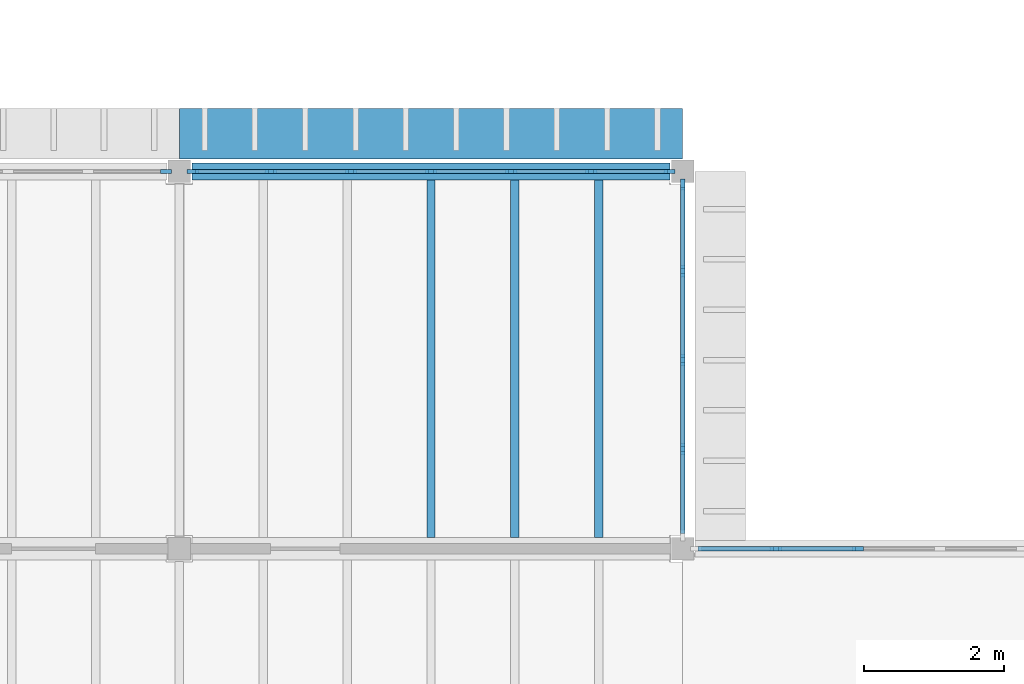
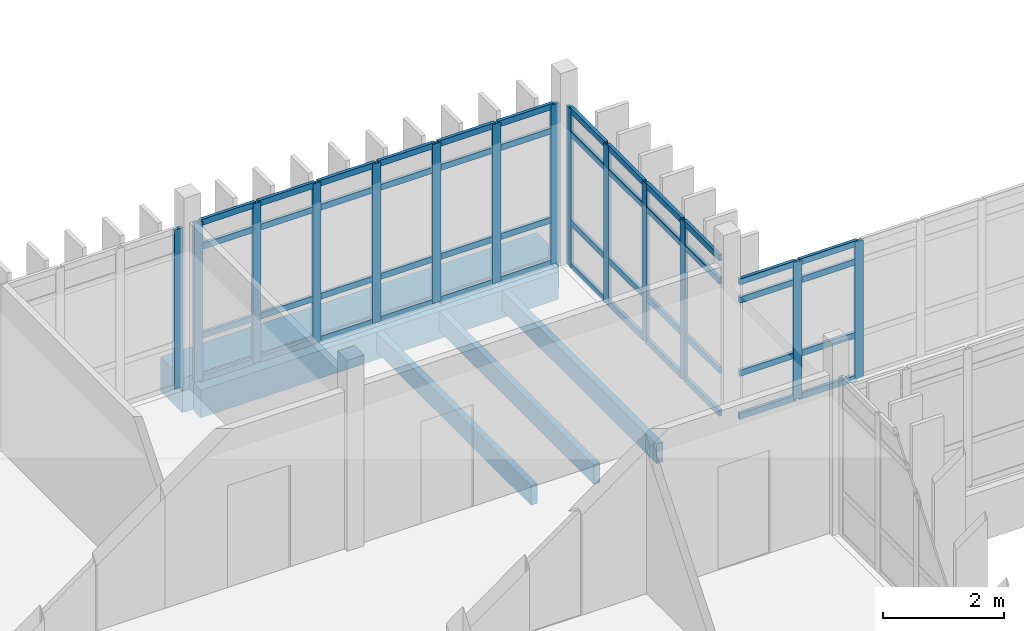
# One storey, part 13 of 71: 63 members, 4 beams, 4 elements without a shape of their own.
"""IFC4 building model written with IfcOpenShell, lengths in metres."""

from ifc_helpers import new_model, si_unit, direction, frame, origin, origin_2d, place, context, subcontext, project, spatial, rectangle, extrude, material, layer, layer_set, material_profile, profile_set, type_object, element, aggregate, save


model = new_model("IFC4")

# Units and contexts
model_context = context("Model", 3, precision=1e-05, world=origin(), true_north=direction((0.0, 1.0)))
body_context = subcontext(model_context, "Body", "Model", "MODEL_VIEW")
ifc_project = project(units=[si_unit("LENGTHUNIT", "METRE"), si_unit("AREAUNIT", "SQUARE_METRE"), si_unit("VOLUMEUNIT", "CUBIC_METRE"), si_unit("PLANEANGLEUNIT", "RADIAN"), si_unit("MASSUNIT", "GRAM", prefix="KILO")], contexts=[model_context])

# Site, building, storey
site_placement = place(None, origin())
site = spatial("IfcSite", under=ifc_project, at=site_placement, CompositionType="ELEMENT")
building_placement = place(site_placement, origin())
building = spatial("IfcBuilding", under=site, at=building_placement, Name="Mazhai Court Health Centre", CompositionType="ELEMENT")
storey_placement = place(building_placement, frame((0.0, 0.0, 10.199951171875)))
storey = spatial("IfcBuildingStorey", under=building, at=storey_placement, Name="L02", CompositionType="ELEMENT", Elevation=10.199951171875)

# Curtain wall, member
ifc_material_1 = material(Name="Teak timber frame, glazed", Category="wood")
ifc_layer = layer(ifc_material_1, 0.10009765625)
ifc_layer_set = layer_set([ifc_layer], Name="CURTAIN WALL TIMBER 1200")
curtain_wall_type = type_object("IfcCurtainWallType", Name="CURTAIN WALL TIMBER 1200", PredefinedType="NOTDEFINED", material=ifc_layer_set)
curtain_wall_1_placement = place(storey_placement, origin())
curtain_wall_1 = element("IfcCurtainWall", 1, at=curtain_wall_1_placement, inside=storey, type_object=curtain_wall_type, Name="CW-V4-L02-B1", PredefinedType="NOTDEFINED")
ifc_material_2 = material(Name="Teak timber", Category="wood")
ifc_material_profile_1 = material_profile(ifc_material_2, rectangle(XDim=0.06005859375, YDim=0.159912109375, at=origin_2d()), Name="CW MULLION 60x160")
ifc_profile_set_1 = profile_set([ifc_material_profile_1], Name="Teak timber")
member_type_1 = type_object("IfcMemberType", Name="CW MULLION 60x160", PredefinedType="MULLION", material=ifc_profile_set_1)
member_1_placement = place(storey_placement, frame((85.2099609375, 27.800048828125, 0.0), z_axis=(0.0, 0.0, 1.0), x_axis=(0.0, 1.0, 0.0)))
member_1 = element("IfcMember", 2, at=member_1_placement, type_object=member_type_1, Name="CW mullion 7", PredefinedType="MULLION", context=body_context, shape_type="SweptSolid", body=[
    extrude(rectangle(XDim=0.06005859375, YDim=0.159912109375, at=origin_2d()), origin(), (0.0, 0.0, 1.0), 3.219970703125),
])
aggregate(curtain_wall_1, [member_1])

# Curtain wall, members
curtain_wall_2_placement = place(storey_placement, origin())
curtain_wall_2 = element("IfcCurtainWall", 3, at=curtain_wall_2_placement, inside=storey, type_object=curtain_wall_type, Name="CW-V4-L02-B2", PredefinedType="NOTDEFINED")
member_2_placement = place(storey_placement, frame((85.590087890625, 27.800048828125, 0.0), z_axis=(0.0, 0.0, 1.0), x_axis=(0.0, 1.0, 0.0)))
member_2 = element("IfcMember", 4, at=member_2_placement, type_object=member_type_1, Name="CW mullion 1", PredefinedType="MULLION", context=body_context, shape_type="SweptSolid", body=[
    extrude(rectangle(XDim=0.06005859375, YDim=0.159912109375, at=origin_2d()), origin(), (0.0, 0.0, 1.0), 3.219970703125),
])
member_3_placement = place(storey_placement, frame((86.706787109375, 27.800048828125, 0.0), z_axis=(0.0, 0.0, 1.0), x_axis=(0.0, 1.0, 0.0)))
member_3 = element("IfcMember", 5, at=member_3_placement, type_object=member_type_1, Name="CW mullion 2", PredefinedType="MULLION", context=body_context, shape_type="SweptSolid", body=[
    extrude(rectangle(XDim=0.06005859375, YDim=0.159912109375, at=origin_2d()), origin(), (0.0, 0.0, 1.0), 3.219970703125),
])
member_4_placement = place(storey_placement, frame((87.853271484375, 27.800048828125, 0.0), z_axis=(0.0, 0.0, 1.0), x_axis=(0.0, 1.0, 0.0)))
member_4 = element("IfcMember", 6, at=member_4_placement, type_object=member_type_1, Name="CW mullion 3", PredefinedType="MULLION", context=body_context, shape_type="SweptSolid", body=[
    extrude(rectangle(XDim=0.06005859375, YDim=0.159912109375, at=origin_2d()), origin(), (0.0, 0.0, 1.0), 3.219970703125),
])
member_5_placement = place(storey_placement, frame((89.0, 27.800048828125, 0.0), z_axis=(0.0, 0.0, 1.0), x_axis=(0.0, 1.0, 0.0)))
member_5 = element("IfcMember", 7, at=member_5_placement, type_object=member_type_1, Name="CW mullion 4", PredefinedType="MULLION", context=body_context, shape_type="SweptSolid", body=[
    extrude(rectangle(XDim=0.06005859375, YDim=0.159912109375, at=origin_2d()), origin(), (0.0, 0.0, 1.0), 3.219970703125),
])
member_6_placement = place(storey_placement, frame((90.146728515625, 27.800048828125, 0.0), z_axis=(0.0, 0.0, 1.0), x_axis=(0.0, 1.0, 0.0)))
member_6 = element("IfcMember", 8, at=member_6_placement, type_object=member_type_1, Name="CW mullion 5", PredefinedType="MULLION", context=body_context, shape_type="SweptSolid", body=[
    extrude(rectangle(XDim=0.06005859375, YDim=0.159912109375, at=origin_2d()), origin(), (0.0, 0.0, 1.0), 3.219970703125),
])
member_7_placement = place(storey_placement, frame((91.293212890625, 27.800048828125, 0.0), z_axis=(0.0, 0.0, 1.0), x_axis=(0.0, 1.0, 0.0)))
member_7 = element("IfcMember", 9, at=member_7_placement, type_object=member_type_1, Name="CW mullion 6", PredefinedType="MULLION", context=body_context, shape_type="SweptSolid", body=[
    extrude(rectangle(XDim=0.06005859375, YDim=0.159912109375, at=origin_2d()), origin(), (0.0, 0.0, 1.0), 3.219970703125),
])
member_8_placement = place(storey_placement, frame((92.409912109375, 27.800048828125, 0.0), z_axis=(0.0, 0.0, 1.0), x_axis=(0.0, 1.0, 0.0)))
member_8 = element("IfcMember", 10, at=member_8_placement, type_object=member_type_1, Name="CW mullion 7", PredefinedType="MULLION", context=body_context, shape_type="SweptSolid", body=[
    extrude(rectangle(XDim=0.06005859375, YDim=0.159912109375, at=origin_2d()), origin(), (0.0, 0.0, 1.0), 3.219970703125),
])

curtain_wall_3_placement = place(storey_placement, origin())
curtain_wall_3 = element("IfcCurtainWall", 11, at=curtain_wall_3_placement, inside=storey, type_object=curtain_wall_type, Name="CW-V4-L02-CE2-1", PredefinedType="NOTDEFINED")
member_9_placement = place(storey_placement, frame((92.60009765625, 27.610107421875, 0.0), z_axis=(0.0, 0.0, 1.0), x_axis=(1.0, 0.0, 0.0)))
member_9 = element("IfcMember", 12, at=member_9_placement, type_object=member_type_1, Name="CW mullion 1", PredefinedType="MULLION", context=body_context, shape_type="SweptSolid", body=[
    extrude(rectangle(XDim=0.06005859375, YDim=0.159912109375, at=origin_2d()), origin(), (0.0, 0.0, 1.0), 3.199951171875),
])
member_10_placement = place(storey_placement, frame((92.60009765625, 26.3701171875, 0.0), z_axis=(0.0, 0.0, 1.0), x_axis=(1.0, 0.0, 0.0)))
member_10 = element("IfcMember", 13, at=member_10_placement, type_object=member_type_1, Name="CW mullion 2", PredefinedType="MULLION", context=body_context, shape_type="SweptSolid", body=[
    extrude(rectangle(XDim=0.06005859375, YDim=0.159912109375, at=origin_2d()), origin(), (0.0, 0.0, 1.0), 3.199951171875),
])
member_11_placement = place(storey_placement, frame((92.60009765625, 25.10009765625, 0.0), z_axis=(0.0, 0.0, 1.0), x_axis=(1.0, 0.0, 0.0)))
member_11 = element("IfcMember", 14, at=member_11_placement, type_object=member_type_1, Name="CW mullion 3", PredefinedType="MULLION", context=body_context, shape_type="SweptSolid", body=[
    extrude(rectangle(XDim=0.06005859375, YDim=0.159912109375, at=origin_2d()), origin(), (0.0, 0.0, 1.0), 3.199951171875),
])
member_12_placement = place(storey_placement, frame((92.60009765625, 23.830078125, 0.0), z_axis=(0.0, 0.0, 1.0), x_axis=(1.0, 0.0, 0.0)))
member_12 = element("IfcMember", 15, at=member_12_placement, type_object=member_type_1, Name="CW mullion 4", PredefinedType="MULLION", context=body_context, shape_type="SweptSolid", body=[
    extrude(rectangle(XDim=0.06005859375, YDim=0.159912109375, at=origin_2d()), origin(), (0.0, 0.0, 1.0), 3.199951171875),
])

curtain_wall_4_placement = place(storey_placement, origin())
curtain_wall_4 = element("IfcCurtainWall", 16, at=curtain_wall_4_placement, inside=storey, type_object=curtain_wall_type, Name="CW-BR-LC2-N", PredefinedType="NOTDEFINED")
member_13_placement = place(storey_placement, frame((93.933349609375, 22.39990234375, 0.0), z_axis=(0.0, 0.0, 1.0), x_axis=(0.0, 1.0, 0.0)))
member_13 = element("IfcMember", 17, at=member_13_placement, type_object=member_type_1, Name="CW mullion 2", PredefinedType="MULLION", context=body_context, shape_type="SweptSolid", body=[
    extrude(rectangle(XDim=0.06005859375, YDim=0.159912109375, at=origin_2d()), origin(), (0.0, 0.0, 1.0), 2.780029296875),
])
member_14_placement = place(storey_placement, frame((95.106689453125, 22.39990234375, 0.0), z_axis=(0.0, 0.0, 1.0), x_axis=(0.0, 1.0, 0.0)))
member_14 = element("IfcMember", 18, at=member_14_placement, type_object=member_type_1, Name="CW mullion 3", PredefinedType="MULLION", context=body_context, shape_type="SweptSolid", body=[
    extrude(rectangle(XDim=0.06005859375, YDim=0.159912109375, at=origin_2d()), origin(), (0.0, 0.0, 1.0), 2.780029296875),
])

# Member
ifc_material_3 = material(Name="Teak timber", Category="wood")
ifc_material_profile_2 = material_profile(ifc_material_3, rectangle(XDim=0.06005859375, YDim=0.1201171875, at=origin_2d()), Name="CW TRANSOM 60x120")
ifc_profile_set_2 = profile_set([ifc_material_profile_2], Name="Teak timber")
member_type_2 = type_object("IfcMemberType", Name="CW TRANSOM 60x120", PredefinedType="USERDEFINED", material=ifc_profile_set_2)
member_15_placement = place(storey_placement, frame((85.6201171875, 27.800048828125, 0.030029296875), z_axis=(1.0, 0.0, 0.0), x_axis=(0.0, 1.0, 0.0)))
member_15 = element("IfcMember", 19, at=member_15_placement, type_object=member_type_2, Name="CW transom 1.1", ObjectType="TRANSOM", PredefinedType="USERDEFINED", context=body_context, shape_type="SweptSolid", body=[
    extrude(rectangle(XDim=0.06005859375, YDim=0.1201171875, at=origin_2d()), origin(), (0.0, 0.0, 1.0), 1.056640625),
])

member_16_placement = place(storey_placement, frame((85.6201171875, 27.800048828125, 0.900146484375), z_axis=(1.0, 0.0, 0.0), x_axis=(0.0, 1.0, 0.0)))
member_16 = element("IfcMember", 20, at=member_16_placement, type_object=member_type_2, Name="CW transom 1.2", ObjectType="TRANSOM", PredefinedType="USERDEFINED", context=body_context, shape_type="SweptSolid", body=[
    extrude(rectangle(XDim=0.06005859375, YDim=0.1201171875, at=origin_2d()), origin(), (0.0, 0.0, 1.0), 1.056640625),
])

member_17_placement = place(storey_placement, frame((85.6201171875, 27.800048828125, 2.699951171875), z_axis=(1.0, 0.0, 0.0), x_axis=(0.0, 1.0, 0.0)))
member_17 = element("IfcMember", 21, at=member_17_placement, type_object=member_type_2, Name="CW transom 1.3", ObjectType="TRANSOM", PredefinedType="USERDEFINED", context=body_context, shape_type="SweptSolid", body=[
    extrude(rectangle(XDim=0.06005859375, YDim=0.1201171875, at=origin_2d()), origin(), (0.0, 0.0, 1.0), 1.056640625),
])

member_18_placement = place(storey_placement, frame((85.6201171875, 27.800048828125, 3.18994140625), z_axis=(1.0, 0.0, 0.0), x_axis=(0.0, 1.0, 0.0)))
member_18 = element("IfcMember", 22, at=member_18_placement, type_object=member_type_2, Name="CW transom 1.4", ObjectType="TRANSOM", PredefinedType="USERDEFINED", context=body_context, shape_type="SweptSolid", body=[
    extrude(rectangle(XDim=0.06005859375, YDim=0.1201171875, at=origin_2d()), origin(), (0.0, 0.0, 1.0), 1.056640625),
])

member_19_placement = place(storey_placement, frame((86.736572265625, 27.800048828125, 0.030029296875), z_axis=(1.0, 0.0, 0.0), x_axis=(0.0, 1.0, 0.0)))
member_19 = element("IfcMember", 23, at=member_19_placement, type_object=member_type_2, Name="CW transom 2.1", ObjectType="TRANSOM", PredefinedType="USERDEFINED", context=body_context, shape_type="SweptSolid", body=[
    extrude(rectangle(XDim=0.06005859375, YDim=0.1201171875, at=origin_2d()), origin(), (0.0, 0.0, 1.0), 1.086669921875),
])

member_20_placement = place(storey_placement, frame((86.736572265625, 27.800048828125, 0.900146484375), z_axis=(1.0, 0.0, 0.0), x_axis=(0.0, 1.0, 0.0)))
member_20 = element("IfcMember", 24, at=member_20_placement, type_object=member_type_2, Name="CW transom 2.2", ObjectType="TRANSOM", PredefinedType="USERDEFINED", context=body_context, shape_type="SweptSolid", body=[
    extrude(rectangle(XDim=0.06005859375, YDim=0.1201171875, at=origin_2d()), origin(), (0.0, 0.0, 1.0), 1.086669921875),
])

member_21_placement = place(storey_placement, frame((86.736572265625, 27.800048828125, 2.699951171875), z_axis=(1.0, 0.0, 0.0), x_axis=(0.0, 1.0, 0.0)))
member_21 = element("IfcMember", 25, at=member_21_placement, type_object=member_type_2, Name="CW transom 2.3", ObjectType="TRANSOM", PredefinedType="USERDEFINED", context=body_context, shape_type="SweptSolid", body=[
    extrude(rectangle(XDim=0.06005859375, YDim=0.1201171875, at=origin_2d()), origin(), (0.0, 0.0, 1.0), 1.086669921875),
])

member_22_placement = place(storey_placement, frame((86.736572265625, 27.800048828125, 3.18994140625), z_axis=(1.0, 0.0, 0.0), x_axis=(0.0, 1.0, 0.0)))
member_22 = element("IfcMember", 26, at=member_22_placement, type_object=member_type_2, Name="CW transom 2.4", ObjectType="TRANSOM", PredefinedType="USERDEFINED", context=body_context, shape_type="SweptSolid", body=[
    extrude(rectangle(XDim=0.06005859375, YDim=0.1201171875, at=origin_2d()), origin(), (0.0, 0.0, 1.0), 1.086669921875),
])

member_23_placement = place(storey_placement, frame((87.88330078125, 27.800048828125, 0.030029296875), z_axis=(1.0, 0.0, 0.0), x_axis=(0.0, 1.0, 0.0)))
member_23 = element("IfcMember", 27, at=member_23_placement, type_object=member_type_2, Name="CW transom 3.1", ObjectType="TRANSOM", PredefinedType="USERDEFINED", context=body_context, shape_type="SweptSolid", body=[
    extrude(rectangle(XDim=0.06005859375, YDim=0.1201171875, at=origin_2d()), origin(), (0.0, 0.0, 1.0), 1.086669921875),
])

member_24_placement = place(storey_placement, frame((87.88330078125, 27.800048828125, 0.900146484375), z_axis=(1.0, 0.0, 0.0), x_axis=(0.0, 1.0, 0.0)))
member_24 = element("IfcMember", 28, at=member_24_placement, type_object=member_type_2, Name="CW transom 3.2", ObjectType="TRANSOM", PredefinedType="USERDEFINED", context=body_context, shape_type="SweptSolid", body=[
    extrude(rectangle(XDim=0.06005859375, YDim=0.1201171875, at=origin_2d()), origin(), (0.0, 0.0, 1.0), 1.086669921875),
])

member_25_placement = place(storey_placement, frame((87.88330078125, 27.800048828125, 2.699951171875), z_axis=(1.0, 0.0, 0.0), x_axis=(0.0, 1.0, 0.0)))
member_25 = element("IfcMember", 29, at=member_25_placement, type_object=member_type_2, Name="CW transom 3.3", ObjectType="TRANSOM", PredefinedType="USERDEFINED", context=body_context, shape_type="SweptSolid", body=[
    extrude(rectangle(XDim=0.06005859375, YDim=0.1201171875, at=origin_2d()), origin(), (0.0, 0.0, 1.0), 1.086669921875),
])

member_26_placement = place(storey_placement, frame((87.88330078125, 27.800048828125, 3.18994140625), z_axis=(1.0, 0.0, 0.0), x_axis=(0.0, 1.0, 0.0)))
member_26 = element("IfcMember", 30, at=member_26_placement, type_object=member_type_2, Name="CW transom 3.4", ObjectType="TRANSOM", PredefinedType="USERDEFINED", context=body_context, shape_type="SweptSolid", body=[
    extrude(rectangle(XDim=0.06005859375, YDim=0.1201171875, at=origin_2d()), origin(), (0.0, 0.0, 1.0), 1.086669921875),
])

member_27_placement = place(storey_placement, frame((89.030029296875, 27.800048828125, 0.030029296875), z_axis=(1.0, 0.0, 0.0), x_axis=(0.0, 1.0, 0.0)))
member_27 = element("IfcMember", 31, at=member_27_placement, type_object=member_type_2, Name="CW transom 4.1", ObjectType="TRANSOM", PredefinedType="USERDEFINED", context=body_context, shape_type="SweptSolid", body=[
    extrude(rectangle(XDim=0.06005859375, YDim=0.1201171875, at=origin_2d()), origin(), (0.0, 0.0, 1.0), 1.086669921875),
])

member_28_placement = place(storey_placement, frame((89.030029296875, 27.800048828125, 0.900146484375), z_axis=(1.0, 0.0, 0.0), x_axis=(0.0, 1.0, 0.0)))
member_28 = element("IfcMember", 32, at=member_28_placement, type_object=member_type_2, Name="CW transom 4.2", ObjectType="TRANSOM", PredefinedType="USERDEFINED", context=body_context, shape_type="SweptSolid", body=[
    extrude(rectangle(XDim=0.06005859375, YDim=0.1201171875, at=origin_2d()), origin(), (0.0, 0.0, 1.0), 1.086669921875),
])

member_29_placement = place(storey_placement, frame((89.030029296875, 27.800048828125, 2.699951171875), z_axis=(1.0, 0.0, 0.0), x_axis=(0.0, 1.0, 0.0)))
member_29 = element("IfcMember", 33, at=member_29_placement, type_object=member_type_2, Name="CW transom 4.3", ObjectType="TRANSOM", PredefinedType="USERDEFINED", context=body_context, shape_type="SweptSolid", body=[
    extrude(rectangle(XDim=0.06005859375, YDim=0.1201171875, at=origin_2d()), origin(), (0.0, 0.0, 1.0), 1.086669921875),
])

member_30_placement = place(storey_placement, frame((89.030029296875, 27.800048828125, 3.18994140625), z_axis=(1.0, 0.0, 0.0), x_axis=(0.0, 1.0, 0.0)))
member_30 = element("IfcMember", 34, at=member_30_placement, type_object=member_type_2, Name="CW transom 4.4", ObjectType="TRANSOM", PredefinedType="USERDEFINED", context=body_context, shape_type="SweptSolid", body=[
    extrude(rectangle(XDim=0.06005859375, YDim=0.1201171875, at=origin_2d()), origin(), (0.0, 0.0, 1.0), 1.086669921875),
])

member_31_placement = place(storey_placement, frame((90.1767578125, 27.800048828125, 0.030029296875), z_axis=(1.0, 0.0, 0.0), x_axis=(0.0, 1.0, 0.0)))
member_31 = element("IfcMember", 35, at=member_31_placement, type_object=member_type_2, Name="CW transom 5.1", ObjectType="TRANSOM", PredefinedType="USERDEFINED", context=body_context, shape_type="SweptSolid", body=[
    extrude(rectangle(XDim=0.06005859375, YDim=0.1201171875, at=origin_2d()), origin(), (0.0, 0.0, 1.0), 1.086669921875),
])

member_32_placement = place(storey_placement, frame((90.1767578125, 27.800048828125, 0.900146484375), z_axis=(1.0, 0.0, 0.0), x_axis=(0.0, 1.0, 0.0)))
member_32 = element("IfcMember", 36, at=member_32_placement, type_object=member_type_2, Name="CW transom 5.2", ObjectType="TRANSOM", PredefinedType="USERDEFINED", context=body_context, shape_type="SweptSolid", body=[
    extrude(rectangle(XDim=0.06005859375, YDim=0.1201171875, at=origin_2d()), origin(), (0.0, 0.0, 1.0), 1.086669921875),
])

member_33_placement = place(storey_placement, frame((90.1767578125, 27.800048828125, 2.699951171875), z_axis=(1.0, 0.0, 0.0), x_axis=(0.0, 1.0, 0.0)))
member_33 = element("IfcMember", 37, at=member_33_placement, type_object=member_type_2, Name="CW transom 5.3", ObjectType="TRANSOM", PredefinedType="USERDEFINED", context=body_context, shape_type="SweptSolid", body=[
    extrude(rectangle(XDim=0.06005859375, YDim=0.1201171875, at=origin_2d()), origin(), (0.0, 0.0, 1.0), 1.086669921875),
])

member_34_placement = place(storey_placement, frame((90.1767578125, 27.800048828125, 3.18994140625), z_axis=(1.0, 0.0, 0.0), x_axis=(0.0, 1.0, 0.0)))
member_34 = element("IfcMember", 38, at=member_34_placement, type_object=member_type_2, Name="CW transom 5.4", ObjectType="TRANSOM", PredefinedType="USERDEFINED", context=body_context, shape_type="SweptSolid", body=[
    extrude(rectangle(XDim=0.06005859375, YDim=0.1201171875, at=origin_2d()), origin(), (0.0, 0.0, 1.0), 1.086669921875),
])

member_35_placement = place(storey_placement, frame((91.3232421875, 27.800048828125, 0.030029296875), z_axis=(1.0, 0.0, 0.0), x_axis=(0.0, 1.0, 0.0)))
member_35 = element("IfcMember", 39, at=member_35_placement, type_object=member_type_2, Name="CW transom 6.1", ObjectType="TRANSOM", PredefinedType="USERDEFINED", context=body_context, shape_type="SweptSolid", body=[
    extrude(rectangle(XDim=0.06005859375, YDim=0.1201171875, at=origin_2d()), origin(), (0.0, 0.0, 1.0), 1.056640625),
])

member_36_placement = place(storey_placement, frame((91.3232421875, 27.800048828125, 0.900146484375), z_axis=(1.0, 0.0, 0.0), x_axis=(0.0, 1.0, 0.0)))
member_36 = element("IfcMember", 40, at=member_36_placement, type_object=member_type_2, Name="CW transom 6.2", ObjectType="TRANSOM", PredefinedType="USERDEFINED", context=body_context, shape_type="SweptSolid", body=[
    extrude(rectangle(XDim=0.06005859375, YDim=0.1201171875, at=origin_2d()), origin(), (0.0, 0.0, 1.0), 1.056640625),
])

member_37_placement = place(storey_placement, frame((91.3232421875, 27.800048828125, 2.699951171875), z_axis=(1.0, 0.0, 0.0), x_axis=(0.0, 1.0, 0.0)))
member_37 = element("IfcMember", 41, at=member_37_placement, type_object=member_type_2, Name="CW transom 6.3", ObjectType="TRANSOM", PredefinedType="USERDEFINED", context=body_context, shape_type="SweptSolid", body=[
    extrude(rectangle(XDim=0.06005859375, YDim=0.1201171875, at=origin_2d()), origin(), (0.0, 0.0, 1.0), 1.056640625),
])

member_38_placement = place(storey_placement, frame((91.3232421875, 27.800048828125, 3.18994140625), z_axis=(1.0, 0.0, 0.0), x_axis=(0.0, 1.0, 0.0)))
member_38 = element("IfcMember", 42, at=member_38_placement, type_object=member_type_2, Name="CW transom 6.4", ObjectType="TRANSOM", PredefinedType="USERDEFINED", context=body_context, shape_type="SweptSolid", body=[
    extrude(rectangle(XDim=0.06005859375, YDim=0.1201171875, at=origin_2d()), origin(), (0.0, 0.0, 1.0), 1.056640625),
])

aggregate(curtain_wall_2, [member_2, member_3, member_4, member_5, member_6, member_7, member_8, member_15, member_16, member_17, member_18, member_19, member_20, member_21, member_22, member_23, member_24, member_25, member_26, member_27, member_28, member_29, member_30, member_31, member_32, member_33, member_34, member_35, member_36, member_37, member_38])

member_39_placement = place(storey_placement, frame((92.60009765625, 27.580078125, 0.030029296875), z_axis=(0.0, -1.0, 0.0), x_axis=(1.0, 0.0, 0.0)))
member_39 = element("IfcMember", 43, at=member_39_placement, type_object=member_type_2, Name="CW transom 1.1", ObjectType="TRANSOM", PredefinedType="USERDEFINED", context=body_context, shape_type="SweptSolid", body=[
    extrude(rectangle(XDim=0.06005859375, YDim=0.1201171875, at=origin_2d()), origin(), (0.0, 0.0, 1.0), 1.18017578125),
])

member_40_placement = place(storey_placement, frame((92.60009765625, 27.580078125, 0.900146484375), z_axis=(0.0, -1.0, 0.0), x_axis=(1.0, 0.0, 0.0)))
member_40 = element("IfcMember", 44, at=member_40_placement, type_object=member_type_2, Name="CW transom 1.2", ObjectType="TRANSOM", PredefinedType="USERDEFINED", context=body_context, shape_type="SweptSolid", body=[
    extrude(rectangle(XDim=0.06005859375, YDim=0.1201171875, at=origin_2d()), origin(), (0.0, 0.0, 1.0), 1.18017578125),
])

member_41_placement = place(storey_placement, frame((92.60009765625, 27.580078125, 2.699951171875), z_axis=(0.0, -1.0, 0.0), x_axis=(1.0, 0.0, 0.0)))
member_41 = element("IfcMember", 45, at=member_41_placement, type_object=member_type_2, Name="CW transom 1.3", ObjectType="TRANSOM", PredefinedType="USERDEFINED", context=body_context, shape_type="SweptSolid", body=[
    extrude(rectangle(XDim=0.06005859375, YDim=0.1201171875, at=origin_2d()), origin(), (0.0, 0.0, 1.0), 1.18017578125),
])

member_42_placement = place(storey_placement, frame((92.60009765625, 27.580078125, 3.170166015625), z_axis=(0.0, -1.0, 0.0), x_axis=(1.0, 0.0, 0.0)))
member_42 = element("IfcMember", 46, at=member_42_placement, type_object=member_type_2, Name="CW transom 1.4", ObjectType="TRANSOM", PredefinedType="USERDEFINED", context=body_context, shape_type="SweptSolid", body=[
    extrude(rectangle(XDim=0.06005859375, YDim=0.1201171875, at=origin_2d()), origin(), (0.0, 0.0, 1.0), 1.18017578125),
])

member_43_placement = place(storey_placement, frame((92.60009765625, 26.340087890625, 0.030029296875), z_axis=(0.0, -1.0, 0.0), x_axis=(1.0, 0.0, 0.0)))
member_43 = element("IfcMember", 47, at=member_43_placement, type_object=member_type_2, Name="CW transom 2.1", ObjectType="TRANSOM", PredefinedType="USERDEFINED", context=body_context, shape_type="SweptSolid", body=[
    extrude(rectangle(XDim=0.06005859375, YDim=0.1201171875, at=origin_2d()), origin(), (0.0, 0.0, 1.0), 1.210205078125),
])

member_44_placement = place(storey_placement, frame((92.60009765625, 26.340087890625, 0.900146484375), z_axis=(0.0, -1.0, 0.0), x_axis=(1.0, 0.0, 0.0)))
member_44 = element("IfcMember", 48, at=member_44_placement, type_object=member_type_2, Name="CW transom 2.2", ObjectType="TRANSOM", PredefinedType="USERDEFINED", context=body_context, shape_type="SweptSolid", body=[
    extrude(rectangle(XDim=0.06005859375, YDim=0.1201171875, at=origin_2d()), origin(), (0.0, 0.0, 1.0), 1.210205078125),
])

member_45_placement = place(storey_placement, frame((92.60009765625, 26.340087890625, 2.699951171875), z_axis=(0.0, -1.0, 0.0), x_axis=(1.0, 0.0, 0.0)))
member_45 = element("IfcMember", 49, at=member_45_placement, type_object=member_type_2, Name="CW transom 2.3", ObjectType="TRANSOM", PredefinedType="USERDEFINED", context=body_context, shape_type="SweptSolid", body=[
    extrude(rectangle(XDim=0.06005859375, YDim=0.1201171875, at=origin_2d()), origin(), (0.0, 0.0, 1.0), 1.210205078125),
])

member_46_placement = place(storey_placement, frame((92.60009765625, 26.340087890625, 3.170166015625), z_axis=(0.0, -1.0, 0.0), x_axis=(1.0, 0.0, 0.0)))
member_46 = element("IfcMember", 50, at=member_46_placement, type_object=member_type_2, Name="CW transom 2.4", ObjectType="TRANSOM", PredefinedType="USERDEFINED", context=body_context, shape_type="SweptSolid", body=[
    extrude(rectangle(XDim=0.06005859375, YDim=0.1201171875, at=origin_2d()), origin(), (0.0, 0.0, 1.0), 1.210205078125),
])

member_47_placement = place(storey_placement, frame((92.60009765625, 25.070068359375, 0.030029296875), z_axis=(0.0, -1.0, 0.0), x_axis=(1.0, 0.0, 0.0)))
member_47 = element("IfcMember", 51, at=member_47_placement, type_object=member_type_2, Name="CW transom 3.1", ObjectType="TRANSOM", PredefinedType="USERDEFINED", context=body_context, shape_type="SweptSolid", body=[
    extrude(rectangle(XDim=0.06005859375, YDim=0.1201171875, at=origin_2d()), origin(), (0.0, 0.0, 1.0), 1.2099609375),
])

member_48_placement = place(storey_placement, frame((92.60009765625, 25.070068359375, 0.900146484375), z_axis=(0.0, -1.0, 0.0), x_axis=(1.0, 0.0, 0.0)))
member_48 = element("IfcMember", 52, at=member_48_placement, type_object=member_type_2, Name="CW transom 3.2", ObjectType="TRANSOM", PredefinedType="USERDEFINED", context=body_context, shape_type="SweptSolid", body=[
    extrude(rectangle(XDim=0.06005859375, YDim=0.1201171875, at=origin_2d()), origin(), (0.0, 0.0, 1.0), 1.2099609375),
])

member_49_placement = place(storey_placement, frame((92.60009765625, 25.070068359375, 2.699951171875), z_axis=(0.0, -1.0, 0.0), x_axis=(1.0, 0.0, 0.0)))
member_49 = element("IfcMember", 53, at=member_49_placement, type_object=member_type_2, Name="CW transom 3.3", ObjectType="TRANSOM", PredefinedType="USERDEFINED", context=body_context, shape_type="SweptSolid", body=[
    extrude(rectangle(XDim=0.06005859375, YDim=0.1201171875, at=origin_2d()), origin(), (0.0, 0.0, 1.0), 1.2099609375),
])

member_50_placement = place(storey_placement, frame((92.60009765625, 25.070068359375, 3.170166015625), z_axis=(0.0, -1.0, 0.0), x_axis=(1.0, 0.0, 0.0)))
member_50 = element("IfcMember", 54, at=member_50_placement, type_object=member_type_2, Name="CW transom 3.4", ObjectType="TRANSOM", PredefinedType="USERDEFINED", context=body_context, shape_type="SweptSolid", body=[
    extrude(rectangle(XDim=0.06005859375, YDim=0.1201171875, at=origin_2d()), origin(), (0.0, 0.0, 1.0), 1.2099609375),
])

member_51_placement = place(storey_placement, frame((92.60009765625, 23.800048828125, 0.030029296875), z_axis=(0.0, -1.0, 0.0), x_axis=(1.0, 0.0, 0.0)))
member_51 = element("IfcMember", 55, at=member_51_placement, type_object=member_type_2, Name="CW transom 4.1", ObjectType="TRANSOM", PredefinedType="USERDEFINED", context=body_context, shape_type="SweptSolid", body=[
    extrude(rectangle(XDim=0.06005859375, YDim=0.1201171875, at=origin_2d()), origin(), (0.0, 0.0, 1.0), 1.179931640625),
])

member_52_placement = place(storey_placement, frame((92.60009765625, 23.800048828125, 0.900146484375), z_axis=(0.0, -1.0, 0.0), x_axis=(1.0, 0.0, 0.0)))
member_52 = element("IfcMember", 56, at=member_52_placement, type_object=member_type_2, Name="CW transom 4.2", ObjectType="TRANSOM", PredefinedType="USERDEFINED", context=body_context, shape_type="SweptSolid", body=[
    extrude(rectangle(XDim=0.06005859375, YDim=0.1201171875, at=origin_2d()), origin(), (0.0, 0.0, 1.0), 1.179931640625),
])

member_53_placement = place(storey_placement, frame((92.60009765625, 23.800048828125, 2.699951171875), z_axis=(0.0, -1.0, 0.0), x_axis=(1.0, 0.0, 0.0)))
member_53 = element("IfcMember", 57, at=member_53_placement, type_object=member_type_2, Name="CW transom 4.3", ObjectType="TRANSOM", PredefinedType="USERDEFINED", context=body_context, shape_type="SweptSolid", body=[
    extrude(rectangle(XDim=0.06005859375, YDim=0.1201171875, at=origin_2d()), origin(), (0.0, 0.0, 1.0), 1.179931640625),
])

member_54_placement = place(storey_placement, frame((92.60009765625, 23.800048828125, 3.170166015625), z_axis=(0.0, -1.0, 0.0), x_axis=(1.0, 0.0, 0.0)))
member_54 = element("IfcMember", 58, at=member_54_placement, type_object=member_type_2, Name="CW transom 4.4", ObjectType="TRANSOM", PredefinedType="USERDEFINED", context=body_context, shape_type="SweptSolid", body=[
    extrude(rectangle(XDim=0.06005859375, YDim=0.1201171875, at=origin_2d()), origin(), (0.0, 0.0, 1.0), 1.179931640625),
])

aggregate(curtain_wall_3, [member_9, member_10, member_11, member_12, member_39, member_40, member_41, member_42, member_43, member_44, member_45, member_46, member_47, member_48, member_49, member_50, member_51, member_52, member_53, member_54])

member_55_placement = place(storey_placement, frame((92.820068359375, 22.39990234375, 0.030029296875), z_axis=(1.0, 0.0, 0.0), x_axis=(0.0, 1.0, 0.0)))
member_55 = element("IfcMember", 59, at=member_55_placement, type_object=member_type_2, Name="CW transom 1.1", ObjectType="TRANSOM", PredefinedType="USERDEFINED", context=body_context, shape_type="SweptSolid", body=[
    extrude(rectangle(XDim=0.06005859375, YDim=0.1201171875, at=origin_2d()), origin(), (0.0, 0.0, 1.0), 1.083251953125),
])

member_56_placement = place(storey_placement, frame((92.820068359375, 22.39990234375, 0.900146484375), z_axis=(1.0, 0.0, 0.0), x_axis=(0.0, 1.0, 0.0)))
member_56 = element("IfcMember", 60, at=member_56_placement, type_object=member_type_2, Name="CW transom 1.2", ObjectType="TRANSOM", PredefinedType="USERDEFINED", context=body_context, shape_type="SweptSolid", body=[
    extrude(rectangle(XDim=0.06005859375, YDim=0.1201171875, at=origin_2d()), origin(), (0.0, 0.0, 1.0), 1.083251953125),
])

member_57_placement = place(storey_placement, frame((92.820068359375, 22.39990234375, 2.380126953125), z_axis=(1.0, 0.0, 0.0), x_axis=(0.0, 1.0, 0.0)))
member_57 = element("IfcMember", 61, at=member_57_placement, type_object=member_type_2, Name="CW transom 1.3", ObjectType="TRANSOM", PredefinedType="USERDEFINED", context=body_context, shape_type="SweptSolid", body=[
    extrude(rectangle(XDim=0.06005859375, YDim=0.1201171875, at=origin_2d()), origin(), (0.0, 0.0, 1.0), 1.083251953125),
])

member_58_placement = place(storey_placement, frame((92.820068359375, 22.39990234375, 2.75), z_axis=(1.0, 0.0, 0.0), x_axis=(0.0, 1.0, 0.0)))
member_58 = element("IfcMember", 62, at=member_58_placement, type_object=member_type_2, Name="CW transom 1.4", ObjectType="TRANSOM", PredefinedType="USERDEFINED", context=body_context, shape_type="SweptSolid", body=[
    extrude(rectangle(XDim=0.06005859375, YDim=0.1201171875, at=origin_2d()), origin(), (0.0, 0.0, 1.0), 1.083251953125),
])

member_59_placement = place(storey_placement, frame((93.96337890625, 22.39990234375, 0.030029296875), z_axis=(1.0, 0.0, 0.0), x_axis=(0.0, 1.0, 0.0)))
member_59 = element("IfcMember", 63, at=member_59_placement, type_object=member_type_2, Name="CW transom 2.1", ObjectType="TRANSOM", PredefinedType="USERDEFINED", context=body_context, shape_type="SweptSolid", body=[
    extrude(rectangle(XDim=0.06005859375, YDim=0.1201171875, at=origin_2d()), origin(), (0.0, 0.0, 1.0), 1.11328125),
])

member_60_placement = place(storey_placement, frame((93.96337890625, 22.39990234375, 0.900146484375), z_axis=(1.0, 0.0, 0.0), x_axis=(0.0, 1.0, 0.0)))
member_60 = element("IfcMember", 64, at=member_60_placement, type_object=member_type_2, Name="CW transom 2.2", ObjectType="TRANSOM", PredefinedType="USERDEFINED", context=body_context, shape_type="SweptSolid", body=[
    extrude(rectangle(XDim=0.06005859375, YDim=0.1201171875, at=origin_2d()), origin(), (0.0, 0.0, 1.0), 1.11328125),
])

member_61_placement = place(storey_placement, frame((93.96337890625, 22.39990234375, 2.380126953125), z_axis=(1.0, 0.0, 0.0), x_axis=(0.0, 1.0, 0.0)))
member_61 = element("IfcMember", 65, at=member_61_placement, type_object=member_type_2, Name="CW transom 2.3", ObjectType="TRANSOM", PredefinedType="USERDEFINED", context=body_context, shape_type="SweptSolid", body=[
    extrude(rectangle(XDim=0.06005859375, YDim=0.1201171875, at=origin_2d()), origin(), (0.0, 0.0, 1.0), 1.11328125),
])

member_62_placement = place(storey_placement, frame((93.96337890625, 22.39990234375, 2.75), z_axis=(1.0, 0.0, 0.0), x_axis=(0.0, 1.0, 0.0)))
member_62 = element("IfcMember", 66, at=member_62_placement, type_object=member_type_2, Name="CW transom 2.4", ObjectType="TRANSOM", PredefinedType="USERDEFINED", context=body_context, shape_type="SweptSolid", body=[
    extrude(rectangle(XDim=0.06005859375, YDim=0.1201171875, at=origin_2d()), origin(), (0.0, 0.0, 1.0), 1.11328125),
])

aggregate(curtain_wall_4, [member_13, member_14, member_55, member_56, member_57, member_58, member_59, member_60, member_61, member_62])

ifc_material_4 = material(Name="Glulam GL24h", Category="wood")
ifc_material_profile_3 = material_profile(ifc_material_4, rectangle(XDim=0.719970703125, YDim=0.699951171875, at=origin_2d()), Name="FIN RAIL 720x700")
ifc_profile_set_3 = profile_set([ifc_material_profile_3], Name="Glulam GL24h")
member_type_3 = type_object("IfcMemberType", Name="FIN RAIL 720x700", PredefinedType="USERDEFINED", material=ifc_profile_set_3)
member_63_placement = place(storey_placement, frame((85.39990234375, 28.340087890625, -0.349853515625), z_axis=(1.0, 0.0, 0.0), x_axis=(0.0, 1.0, 0.0)))
element("IfcMember", 67, at=member_63_placement, inside=storey, type_object=member_type_3, Name="FR-V4-B2-L02", ObjectType="FIN RAIL", PredefinedType="USERDEFINED", context=body_context, shape_type="SweptSolid", body=[
    extrude(rectangle(XDim=0.719970703125, YDim=0.699951171875, at=origin_2d()), origin(), (0.0, 0.0, 1.0), 7.2001953125),
])

# Beams
ifc_material_5 = material(Name="Glulam GL24h", Category="wood")
ifc_material_profile_4 = material_profile(ifc_material_5, rectangle(XDim=0.1201171875, YDim=0.39990234375, at=origin_2d()), Name="GL24h 120x400")
ifc_profile_set_4 = profile_set([ifc_material_profile_4], Name="Glulam GL24h")
beam_type_1 = type_object("IfcBeamType", Name="GL24h 120x400 joist", PredefinedType="JOIST", material=ifc_profile_set_4)
for number, where, z_axis, x_axis, name in (
    (68, (89.0, 22.56005859375, -0.320068359375), (0.0, 1.0, 0.0), (-1.0, 0.0, 0.0), "joist-V4-L02-2-C3"),
    (69, (90.199951171875, 22.56005859375, -0.320068359375), (0.0, 1.0, 0.0), (-1.0, 0.0, 0.0), "joist-V4-L02-2-C4"),
    (70, (91.39990234375, 22.56005859375, -0.320068359375), (0.0, 1.0, 0.0), (-1.0, 0.0, 0.0), "joist-V4-L02-2-C5"),
):
    element("IfcBeam", number, at=place(storey_placement, frame(where, z_axis=z_axis, x_axis=x_axis)), inside=storey, type_object=beam_type_1, Name=name, PredefinedType="JOIST", context=body_context, shape_type="SweptSolid", body=[
        extrude(rectangle(XDim=0.1201171875, YDim=0.39990234375, at=origin_2d()), origin(), (0.0, 0.0, 1.0), 5.119873046875),
    ])
ifc_material_6 = material(Name="Glulam GL28h", Category="wood")
ifc_material_profile_5 = material_profile(ifc_material_6, rectangle(XDim=0.239990234375, YDim=0.56005859375, at=origin_2d()), Name="GL28h 240x560")
ifc_profile_set_5 = profile_set([ifc_material_profile_5], Name="Glulam GL28h")
beam_type_2 = type_object("IfcBeamType", Name="GL28h 240x560 beam", PredefinedType="BEAM", material=ifc_profile_set_5)
beam_placement = place(storey_placement, frame((85.580078125, 27.800048828125, -0.39990234375), z_axis=(1.0, 0.0, 0.0), x_axis=(0.0, 1.0, 0.0)))
element("IfcBeam", 71, at=beam_placement, inside=storey, type_object=beam_type_2, Name="beam-V4-L02-2-D", PredefinedType="BEAM", context=body_context, shape_type="SweptSolid", body=[
    extrude(rectangle(XDim=0.239990234375, YDim=0.56005859375, at=origin_2d()), origin(), (0.0, 0.0, 1.0), 6.83984375),
])

save(model, "model.ifc")
